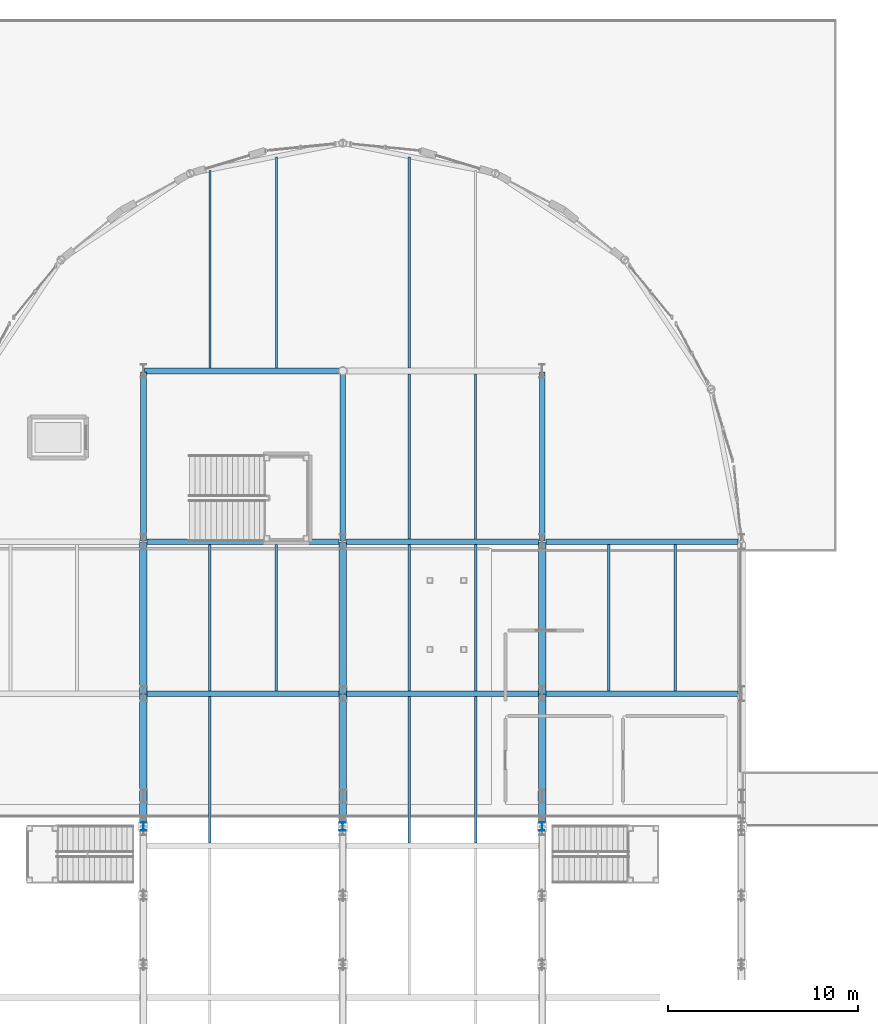
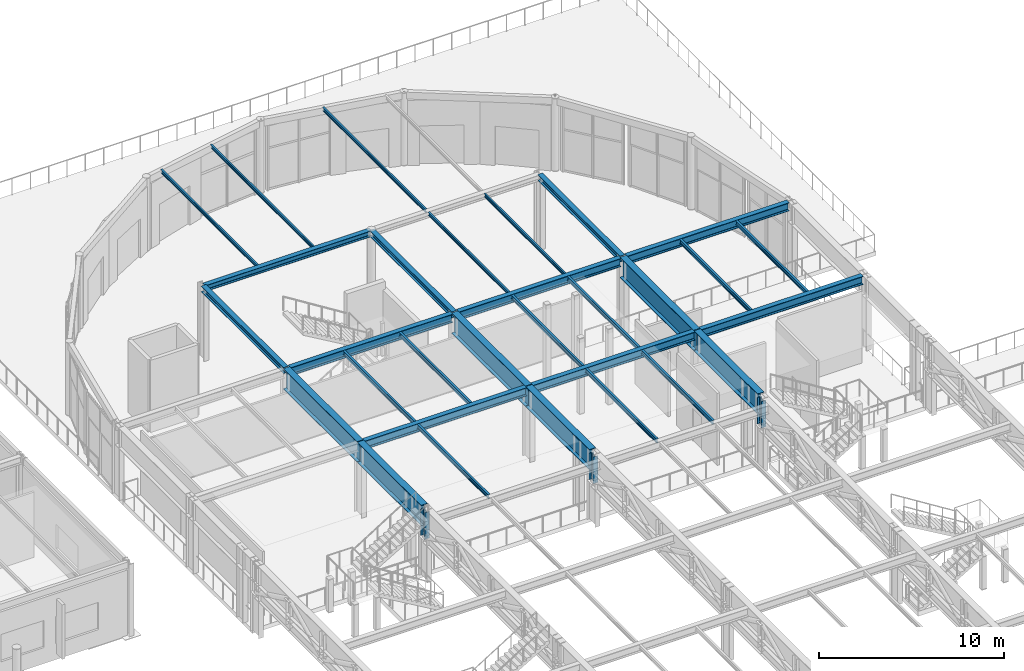
# One storey, part 45 of 143: 30 beams, 3 members.
"""IFC4 building model written with IfcOpenShell, lengths in metres."""

import ifcopenshell
import ifcopenshell.guid

model = None  # the IFC model being written
_history = None  # IfcOwnerHistory: only IFC2X3 demands one
_inside = {}  # id of a spatial element -> (the spatial element, [elements in it])
_under = {}  # id of a project, library or spatial element -> (it, [spatial elements below it])
_declared = {}  # id of a project -> (the project, [libraries it declares])
_typed = {}  # id of a type object -> (the type object, [elements of that type])
_made_of = {}  # id of a material, layer set ... -> (it, [elements and type objects made of it])


def new_model(schema):
    """Start an empty IFC model of exactly this schema.

    Asked for "IFC4X3", IfcOpenShell would pick the latest addendum, in which some entities
    have other attributes; the version numbers below select the first issue.
    IFC2X3 requires an IfcOwnerHistory on every rooted entity: one is made here for all.
    """
    global model, _history
    if schema == "IFC4X3":
        model = ifcopenshell.file(schema_version=(4, 3, 0, 0))
    else:
        model = ifcopenshell.file(schema=schema)
    _inside.clear()
    _under.clear()
    _declared.clear()
    _typed.clear()
    _made_of.clear()
    _history = None
    if model.schema == "IFC2X3":
        org = make("IfcOrganization", Name="unknown")
        user = make(
            "IfcPersonAndOrganization",
            ThePerson=make("IfcPerson", FamilyName="unknown"),
            TheOrganization=org,
        )
        app = make(
            "IfcApplication",
            ApplicationDeveloper=org,
            Version="unknown",
            ApplicationFullName="unknown",
            ApplicationIdentifier="unknown",
        )
        _history = make(
            "IfcOwnerHistory",
            OwningUser=user,
            OwningApplication=app,
            ChangeAction="ADDED",
            CreationDate=0,
        )
    return model


def make(cls, **values):
    """One entity of the class cls with the attributes given. An attribute that is None is left unset."""
    return model.create_entity(
        cls, **{name: value for name, value in values.items() if value is not None}
    )


def rooted(cls, **values):
    """An entity with a GlobalId (a new one), such as an element, a storey or a relation."""
    return make(cls, GlobalId=ifcopenshell.guid.new(), OwnerHistory=_history, **values)


def si_unit(unit_type, name, prefix=None):
    """IfcSIUnit, for example si_unit("LENGTHUNIT", "METRE", prefix="MILLI")."""
    return make("IfcSIUnit", UnitType=unit_type, Prefix=prefix, Name=name)


def assignment(units):
    """IfcUnitAssignment: the units of a project."""
    return None if units is None else make("IfcUnitAssignment", Units=units)


def point(xyz):
    """IfcCartesianPoint."""
    return None if xyz is None else make("IfcCartesianPoint", Coordinates=xyz)


def direction(xyz):
    """IfcDirection."""
    return None if xyz is None else make("IfcDirection", DirectionRatios=xyz)


def frame(location, z_axis=None, x_axis=None):
    """IfcAxis2Placement3D, a coordinate frame: its origin and axes. An axis left out is left unset."""
    return make(
        "IfcAxis2Placement3D",
        Location=point(location),
        Axis=direction(z_axis),
        RefDirection=direction(x_axis),
    )


def frame_2d(location, x_axis=None):
    """IfcAxis2Placement2D, a coordinate frame in the plane: its origin and x axis."""
    return make(
        "IfcAxis2Placement2D", Location=point(location), RefDirection=direction(x_axis)
    )


def origin():
    """The frame at (0, 0, 0) with its axes left unset."""
    return frame((0.0, 0.0, 0.0))


def origin_2d():
    """The frame at (0, 0) in the plane with its x axis left unset."""
    return frame_2d((0.0, 0.0))


def place(relative_to, where):
    """IfcLocalPlacement: puts the frame where relative to a parent placement (None: the world)."""
    return make(
        "IfcLocalPlacement", PlacementRelTo=relative_to, RelativePlacement=where
    )


def context(
    kind, dimensions, precision=None, world=None, true_north=None, identifier=None
):
    """IfcGeometricRepresentationContext, for example the 3D "Model" context."""
    return make(
        "IfcGeometricRepresentationContext",
        ContextIdentifier=identifier,
        ContextType=kind,
        CoordinateSpaceDimension=dimensions,
        Precision=precision,
        WorldCoordinateSystem=world,
        TrueNorth=true_north,
    )


def subcontext(parent, identifier, kind, view, scale=None):
    """IfcGeometricRepresentationSubContext, for example "Body" below "Model"."""
    return make(
        "IfcGeometricRepresentationSubContext",
        ContextIdentifier=identifier,
        ContextType=kind,
        ParentContext=parent,
        TargetScale=scale,
        TargetView=view,
    )


def project(units=None, contexts=None):
    """IfcProject with its units and contexts."""
    return rooted(
        "IfcProject",
        Name="project",
        RepresentationContexts=contexts,
        UnitsInContext=assignment(units),
    )


def spatial(cls, under=None, at=None, **own):
    """A site, building, storey or space (cls), placed at a placement, below another one or the project."""
    s = rooted(cls, ObjectPlacement=at, **own)
    if under is not None:
        _under.setdefault(under.id(), (under, []))[1].append(s)
    return s


def profile(cls, at=None, kind="AREA", **sizes):
    """A parametric profile (cls). Its sizes go by their IFC names, for example OverallWidth=200.0."""
    return make(cls, ProfileType=kind, Position=at, **sizes)


def i_section(**sizes):
    """IfcIShapeProfileDef."""
    return profile("IfcIShapeProfileDef", **sizes)


def extrude(swept, where, along, depth):
    """IfcExtrudedAreaSolid: the profile swept, set in the frame where, extruded along a direction by depth."""
    return make(
        "IfcExtrudedAreaSolid",
        SweptArea=swept,
        Position=where,
        ExtrudedDirection=direction(along),
        Depth=depth,
    )


def shape(context_of_items, identifier, shape_type, items):
    """IfcShapeRepresentation: the items that make up one representation, for example the "Body"."""
    return make(
        "IfcShapeRepresentation",
        ContextOfItems=context_of_items,
        RepresentationIdentifier=identifier,
        RepresentationType=shape_type,
        Items=items,
    )


def material(Name=None, Category=None):
    """IfcMaterial."""
    return make("IfcMaterial", Name=Name, Category=Category)


def material_profile(
    of_material, cross_section, Name=None, Category=None, Priority=None
):
    """IfcMaterialProfile: a cross section and its material."""
    return make(
        "IfcMaterialProfile",
        Name=Name,
        Material=of_material,
        Profile=cross_section,
        Priority=Priority,
        Category=Category,
    )


def profile_set(profiles, Name=None, composite=None):
    """IfcMaterialProfileSet."""
    return make(
        "IfcMaterialProfileSet",
        Name=Name,
        MaterialProfiles=profiles,
        CompositeProfile=composite,
    )


def made_of(thing, what):
    """Note that an element or type object is made of a material, layer set ...; save() writes the relation."""
    if what is not None:
        _made_of.setdefault(what.id(), (what, []))[1].append(thing)
    return thing


def type_object(cls, material=None, **own):
    """A type object (cls), such as IfcWallType, which elements share."""
    return made_of(rooted(cls, **own), material)


def element(
    cls,
    number,
    at=None,
    inside=None,
    cuts=None,
    type_object=None,
    material=None,
    context=None,
    identifier="Body",
    shape_type=None,
    held_by="IfcProductDefinitionShape",
    body=None,
    shapes=None,
    **own,
):
    """One element of the class cls, such as IfcWall. Its Tag is "e" and its number.

    at: its placement. inside: the storey or other place that contains it. cuts: it is an
    opening in that element (IfcRelVoidsElement). A single representation is given by context,
    identifier, shape_type and body (its items); several are given by shapes. held_by: the class
    of the entity that holds the representations. save() writes the other relations.
    """
    e = rooted(cls, Tag="e%d" % number, ObjectPlacement=at, **own)
    if body is not None:
        shapes = [shape(context, identifier, shape_type, body)]
    if shapes is not None:
        e.Representation = make(held_by, Representations=shapes)
    if inside is not None:
        _inside.setdefault(inside.id(), (inside, []))[1].append(e)
    if cuts is not None:
        rooted(
            "IfcRelVoidsElement", RelatingBuildingElement=cuts, RelatedOpeningElement=e
        )
    if type_object is not None:
        _typed.setdefault(type_object.id(), (type_object, []))[1].append(e)
    return made_of(e, material)


def aggregate(whole, parts):
    """IfcRelAggregates: a whole, such as a stair, and the parts it consists of."""
    return rooted("IfcRelAggregates", RelatingObject=whole, RelatedObjects=parts)


def save(model, path):
    """Write the relations noted so far, then the file.

    IfcRelAggregates (storeys below a building ...), IfcRelContainedInSpatialStructure (elements
    in a storey), IfcRelDefinesByType, IfcRelAssociatesMaterial and IfcRelDeclares: one each for
    every whole, place, type object, material and project.
    """
    for whole, parts in _under.values():
        aggregate(whole, parts)
    for where, things in _inside.values():
        rooted(
            "IfcRelContainedInSpatialStructure",
            RelatedElements=things,
            RelatingStructure=where,
        )
    for kind, things in _typed.values():
        rooted("IfcRelDefinesByType", RelatedObjects=things, RelatingType=kind)
    for what, things in _made_of.values():
        rooted("IfcRelAssociatesMaterial", RelatedObjects=things, RelatingMaterial=what)
    for by, libraries in _declared.values():
        rooted("IfcRelDeclares", RelatingContext=by, RelatedDefinitions=libraries)
    model.write(path)


model = new_model("IFC4")

# Units and contexts
model_context = context("Model", 3, precision=1e-05, world=origin(), true_north=direction((0.0, 1.0)))
body_context = subcontext(model_context, "Body", "Model", "MODEL_VIEW")
ifc_project = project(units=[si_unit("LENGTHUNIT", "METRE"), si_unit("AREAUNIT", "SQUARE_METRE"), si_unit("VOLUMEUNIT", "CUBIC_METRE"), si_unit("PLANEANGLEUNIT", "RADIAN"), si_unit("MASSUNIT", "GRAM", prefix="KILO")], contexts=[model_context])

# Site, building, storey
site_placement = place(None, origin())
site = spatial("IfcSite", under=ifc_project, at=site_placement, CompositionType="ELEMENT")
building_placement = place(site_placement, origin())
building = spatial("IfcBuilding", under=site, at=building_placement, Name="Marlcrest Central Station", CompositionType="ELEMENT")
storey_placement = place(building_placement, frame((0.0, 0.0, 4.800048828125)))
storey = spatial("IfcBuildingStorey", under=building, at=storey_placement, Name="L01", CompositionType="ELEMENT", Elevation=4.800048828125)

# Beams
ifc_material = material(Name="Steel S355", Category="steel")
ifc_material_profile_1 = material_profile(ifc_material, i_section(OverallWidth=0.300048828125, OverallDepth=0.389892578125, WebThickness=0.010986328125, FlangeThickness=0.01904296875, FilletRadius=0.027099609375, at=origin_2d()), Name="HEA 400")
ifc_profile_set_1 = profile_set([ifc_material_profile_1], Name="Steel S355")
beam_type_1 = type_object("IfcBeamType", Name="BM-08", PredefinedType="BEAM", material=ifc_profile_set_1)
beam_1_placement = place(storey_placement, frame((97.550048828125, 119.5, 4.619873046875), z_axis=(1.0, 0.0, 0.0), x_axis=(0.0, 1.0, 0.0)))
element("IfcBeam", 1, at=beam_1_placement, inside=storey, type_object=beam_type_1, Name="bm-BM-08-L01-01466", PredefinedType="BEAM", context=body_context, shape_type="SweptSolid", body=[
    extrude(i_section(OverallWidth=0.300048828125, OverallDepth=0.389892578125, WebThickness=0.010986328125, FlangeThickness=0.01904296875, FilletRadius=0.027099609375, at=origin_2d()), origin(), (0.0, 0.0, 1.0), 10.39990234375),
])
for number, where, z_axis, x_axis, name in (
    (2, (97.5, 110.550048828125, 4.619873046875), (0.0, 1.0, 0.0), (-1.0, 0.0, 0.0), "bm-BM-08-L01-01468"),
    (3, (108.0, 110.550048828125, 4.619873046875), (0.0, 1.0, 0.0), (-1.0, 0.0, 0.0), "bm-BM-08-L01-01469"),
    (4, (118.5, 110.550048828125, 4.619873046875), (0.0, 1.0, 0.0), (-1.0, 0.0, 0.0), "bm-BM-08-L01-01470"),
):
    element("IfcBeam", number, at=place(storey_placement, frame(where, z_axis=z_axis, x_axis=x_axis)), inside=storey, type_object=beam_type_1, Name=name, PredefinedType="BEAM", context=body_context, shape_type="SweptSolid", body=[
        extrude(i_section(OverallWidth=0.300048828125, OverallDepth=0.389892578125, WebThickness=0.010986328125, FlangeThickness=0.01904296875, FilletRadius=0.027099609375, at=origin_2d()), origin(), (0.0, 0.0, 1.0), 8.89990234375),
    ])
ifc_material_profile_2 = material_profile(ifc_material, i_section(OverallWidth=0.300048828125, OverallDepth=0.550048828125, WebThickness=0.014892578125, FlangeThickness=0.029052734375, FilletRadius=0.027099609375, at=origin_2d()), Name="HEB 550")
ifc_profile_set_2 = profile_set([ifc_material_profile_2], Name="Steel S355")
beam_type_2 = type_object("IfcBeamType", Name="BM-11", PredefinedType="BEAM", material=ifc_profile_set_2)
for number, where, z_axis, x_axis, name in (
    (5, (97.695068359375, 102.5, 4.5400390625), (1.0, 0.0, 0.0), (0.0, 1.0, 0.0), "bm-BM-11-L01-01218"),
    (6, (108.195068359375, 102.5, 4.5400390625), (1.0, 0.0, 0.0), (0.0, 1.0, 0.0), "bm-BM-11-L01-01219"),
    (7, (118.695068359375, 102.5, 4.5400390625), (1.0, 0.0, 0.0), (0.0, 1.0, 0.0), "bm-BM-11-L01-01220"),
    (8, (97.695068359375, 110.5, 4.5400390625), (1.0, 0.0, 0.0), (0.0, 1.0, 0.0), "bm-BM-11-L01-01225"),
    (9, (108.195068359375, 110.5, 4.5400390625), (1.0, 0.0, 0.0), (0.0, 1.0, 0.0), "bm-BM-11-L01-01226"),
    (10, (118.695068359375, 110.5, 4.5400390625), (1.0, 0.0, 0.0), (0.0, 1.0, 0.0), "bm-BM-11-L01-01227"),
):
    element("IfcBeam", number, at=place(storey_placement, frame(where, z_axis=z_axis, x_axis=x_axis)), inside=storey, type_object=beam_type_2, Name=name, PredefinedType="BEAM", context=body_context, shape_type="SweptSolid", body=[
        extrude(i_section(OverallWidth=0.300048828125, OverallDepth=0.550048828125, WebThickness=0.014892578125, FlangeThickness=0.029052734375, FilletRadius=0.027099609375, at=origin_2d()), origin(), (0.0, 0.0, 1.0), 10.10986328125),
    ])
ifc_material_profile_3 = material_profile(ifc_material, i_section(OverallWidth=0.110107421875, OverallDepth=0.219970703125, WebThickness=0.005859375, FlangeThickness=0.00927734375, FilletRadius=0.011962890625, at=origin_2d()), Name="IPE 220")
ifc_profile_set_3 = profile_set([ifc_material_profile_3], Name="Steel S355")
beam_type_3 = type_object("IfcBeamType", Name="JS-02", PredefinedType="JOIST", material=ifc_profile_set_3)
beam_2_placement = place(storey_placement, frame((101.0, 119.64794921875, 4.704833984375), z_axis=(0.0, 1.0, 0.0), x_axis=(-1.0, 0.0, 0.0)))
element("IfcBeam", 11, at=beam_2_placement, inside=storey, type_object=beam_type_3, Name="bm-JS-02-L01-01471", PredefinedType="JOIST", context=body_context, shape_type="SweptSolid", body=[
    extrude(i_section(OverallWidth=0.110107421875, OverallDepth=0.219970703125, WebThickness=0.005859375, FlangeThickness=0.00927734375, FilletRadius=0.011962890625, at=origin_2d()), origin(), (0.0, 0.0, 1.0), 10.419189453125),
])
for number, where, z_axis, x_axis, name in (
    (12, (104.5, 119.64794921875, 4.704833984375), (0.0, 1.0, 0.0), (-1.0, 0.0, 0.0), "bm-JS-02-L01-01472"),
    (13, (111.5, 119.64794921875, 4.704833984375), (0.0, 1.0, 0.0), (-1.0, 0.0, 0.0), "bm-JS-02-L01-01473"),
):
    element("IfcBeam", number, at=place(storey_placement, frame(where, z_axis=z_axis, x_axis=x_axis)), inside=storey, type_object=beam_type_3, Name=name, PredefinedType="JOIST", context=body_context, shape_type="SweptSolid", body=[
        extrude(i_section(OverallWidth=0.110107421875, OverallDepth=0.219970703125, WebThickness=0.005859375, FlangeThickness=0.00927734375, FilletRadius=0.011962890625, at=origin_2d()), origin(), (0.0, 0.0, 1.0), 11.11572265625),
    ])
for number, where, z_axis, x_axis, name in (
    (14, (111.5, 110.64794921875, 4.704833984375), (0.0, 1.0, 0.0), (-1.0, 0.0, 0.0), "bm-JS-02-L01-01474"),
    (15, (115.0, 110.64794921875, 4.704833984375), (0.0, 1.0, 0.0), (-1.0, 0.0, 0.0), "bm-JS-02-L01-01476"),
):
    element("IfcBeam", number, at=place(storey_placement, frame(where, z_axis=z_axis, x_axis=x_axis)), inside=storey, type_object=beam_type_3, Name=name, PredefinedType="JOIST", context=body_context, shape_type="SweptSolid", body=[
        extrude(i_section(OverallWidth=0.110107421875, OverallDepth=0.219970703125, WebThickness=0.005859375, FlangeThickness=0.00927734375, FilletRadius=0.011962890625, at=origin_2d()), origin(), (0.0, 0.0, 1.0), 8.7041015625),
    ])
ifc_material_profile_4 = material_profile(ifc_material, i_section(OverallWidth=0.135009765625, OverallDepth=0.27001953125, WebThickness=0.006591796875, FlangeThickness=0.01025390625, FilletRadius=0.014892578125, at=origin_2d()), Name="IPE 270")
ifc_profile_set_4 = profile_set([ifc_material_profile_4], Name="Steel S355")
beam_type_4 = type_object("IfcBeamType", Name="JS-04", PredefinedType="JOIST", material=ifc_profile_set_4)
for number, where, z_axis, x_axis, name in (
    (16, (101.0, 94.64794921875, 4.679931640625), (0.0, 1.0, 0.0), (-1.0, 0.0, 0.0), "bm-JS-04-L01-01305"),
    (17, (111.5, 94.64794921875, 4.679931640625), (0.0, 1.0, 0.0), (-1.0, 0.0, 0.0), "bm-JS-04-L01-01306"),
    (18, (115.0, 94.64794921875, 4.679931640625), (0.0, 1.0, 0.0), (-1.0, 0.0, 0.0), "bm-JS-04-L01-01307"),
    (19, (101.0, 102.64794921875, 4.679931640625), (0.0, 1.0, 0.0), (-1.0, 0.0, 0.0), "bm-JS-04-L01-01317"),
    (20, (104.5, 102.64794921875, 4.679931640625), (0.0, 1.0, 0.0), (-1.0, 0.0, 0.0), "bm-JS-04-L01-01318"),
    (21, (111.5, 102.64794921875, 4.679931640625), (0.0, 1.0, 0.0), (-1.0, 0.0, 0.0), "bm-JS-04-L01-01319"),
    (22, (115.0, 102.64794921875, 4.679931640625), (0.0, 1.0, 0.0), (-1.0, 0.0, 0.0), "bm-JS-04-L01-01320"),
    (23, (122.0, 102.64794921875, 4.679931640625), (0.0, 1.0, 0.0), (-1.0, 0.0, 0.0), "bm-JS-04-L01-01321"),
    (24, (125.5, 102.64794921875, 4.679931640625), (0.0, 1.0, 0.0), (-1.0, 0.0, 0.0), "bm-JS-04-L01-01322"),
):
    element("IfcBeam", number, at=place(storey_placement, frame(where, z_axis=z_axis, x_axis=x_axis)), inside=storey, type_object=beam_type_4, Name=name, PredefinedType="JOIST", context=body_context, shape_type="SweptSolid", body=[
        extrude(i_section(OverallWidth=0.135009765625, OverallDepth=0.27001953125, WebThickness=0.006591796875, FlangeThickness=0.01025390625, FilletRadius=0.014892578125, at=origin_2d()), origin(), (0.0, 0.0, 1.0), 7.7041015625),
    ])
ifc_material_profile_5 = material_profile(ifc_material, i_section(OverallWidth=0.39990234375, OverallDepth=1.35009765625, WebThickness=0.02197265625, FlangeThickness=0.034912109375, at=origin_2d()), Name="PG 1350x400")
ifc_profile_set_5 = profile_set([ifc_material_profile_5], Name="Steel S355")
beam_type_5 = type_object("IfcBeamType", Name="TG-01", PredefinedType="USERDEFINED", material=ifc_profile_set_5)
for number, where, z_axis, x_axis, name in (
    (25, (97.5, 95.60009765625, 4.139892578125), (0.0, 1.0, 0.0), (-1.0, 0.0, 0.0), "bm-TG-01-L01-01300"),
    (26, (108.0, 95.60009765625, 4.139892578125), (0.0, 1.0, 0.0), (-1.0, 0.0, 0.0), "bm-TG-01-L01-01301"),
    (27, (118.5, 95.60009765625, 4.139892578125), (0.0, 1.0, 0.0), (-1.0, 0.0, 0.0), "bm-TG-01-L01-01302"),
):
    element("IfcBeam", number, at=place(storey_placement, frame(where, z_axis=z_axis, x_axis=x_axis)), inside=storey, type_object=beam_type_5, Name=name, ObjectType="TRANSFER_GIRDER", PredefinedType="USERDEFINED", context=body_context, shape_type="SweptSolid", body=[
        extrude(i_section(OverallWidth=0.39990234375, OverallDepth=1.35009765625, WebThickness=0.02197265625, FlangeThickness=0.034912109375, at=origin_2d()), origin(), (0.0, 0.0, 1.0), 6.8798828125),
    ])
for number, where, z_axis, x_axis, name in (
    (28, (97.5, 102.52001953125, 4.139892578125), (0.0, 1.0, 0.0), (-1.0, 0.0, 0.0), "bm-TG-01-L01-01310"),
    (29, (108.0, 102.52001953125, 4.139892578125), (0.0, 1.0, 0.0), (-1.0, 0.0, 0.0), "bm-TG-01-L01-01311"),
    (30, (118.5, 102.52001953125, 4.139892578125), (0.0, 1.0, 0.0), (-1.0, 0.0, 0.0), "bm-TG-01-L01-01312"),
):
    element("IfcBeam", number, at=place(storey_placement, frame(where, z_axis=z_axis, x_axis=x_axis)), inside=storey, type_object=beam_type_5, Name=name, ObjectType="TRANSFER_GIRDER", PredefinedType="USERDEFINED", context=body_context, shape_type="SweptSolid", body=[
        extrude(i_section(OverallWidth=0.39990234375, OverallDepth=1.35009765625, WebThickness=0.02197265625, FlangeThickness=0.034912109375, at=origin_2d()), origin(), (0.0, 0.0, 1.0), 7.9599609375),
    ])

# Members
ifc_material_profile_6 = material_profile(ifc_material, i_section(OverallWidth=0.300048828125, OverallDepth=0.449951171875, WebThickness=0.013916015625, FlangeThickness=0.02587890625, FilletRadius=0.027099609375, at=origin_2d()), Name="HEB 450")
ifc_profile_set_6 = profile_set([ifc_material_profile_6], Name="Steel S355")
member_type = type_object("IfcMemberType", Name="TP-01", PredefinedType="POST", material=ifc_profile_set_6)
for number, where, z_axis, x_axis, name in (
    (31, (97.5, 95.5, 2.744873046875), (0.0, 0.0, 1.0), (1.0, 0.0, 0.0), "mem-TP-01-L01-02216"),
    (32, (108.0, 95.5, 2.744873046875), (0.0, 0.0, 1.0), (1.0, 0.0, 0.0), "mem-TP-01-L01-02265"),
    (33, (118.5, 95.5, 2.744873046875), (0.0, 0.0, 1.0), (1.0, 0.0, 0.0), "mem-TP-01-L01-02314"),
):
    element("IfcMember", number, at=place(storey_placement, frame(where, z_axis=z_axis, x_axis=x_axis)), inside=storey, type_object=member_type, Name=name, PredefinedType="POST", context=body_context, shape_type="SweptSolid", body=[
        extrude(i_section(OverallWidth=0.300048828125, OverallDepth=0.449951171875, WebThickness=0.013916015625, FlangeThickness=0.02587890625, FilletRadius=0.027099609375, at=origin_2d()), origin(), (0.0, 0.0, 1.0), 1.75),
    ])

save(model, "model.ifc")
